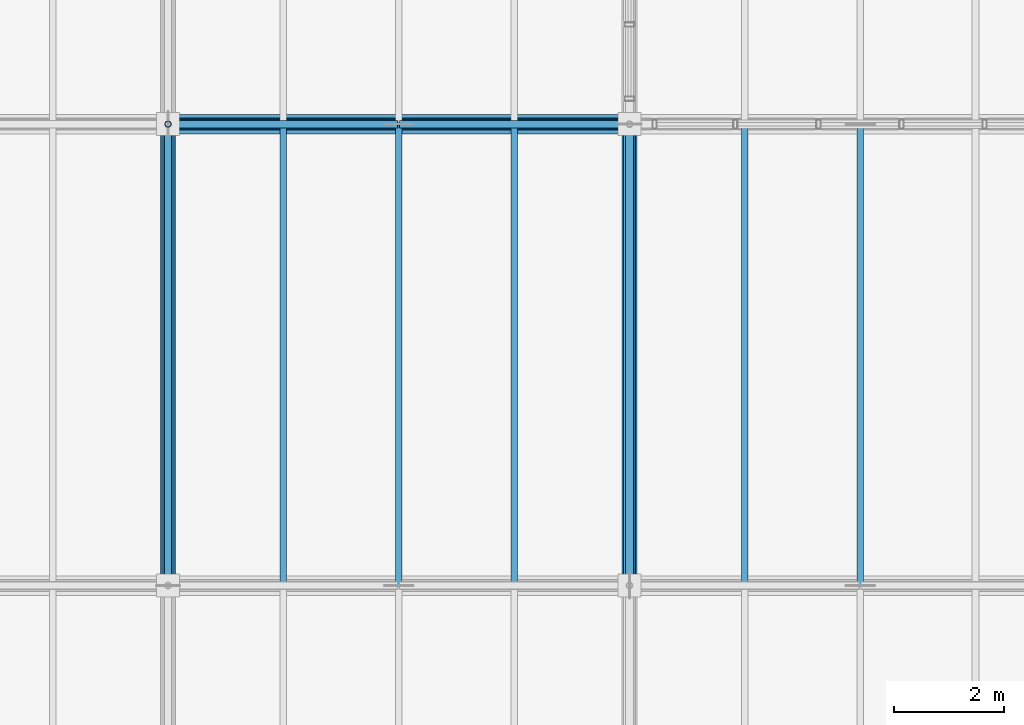
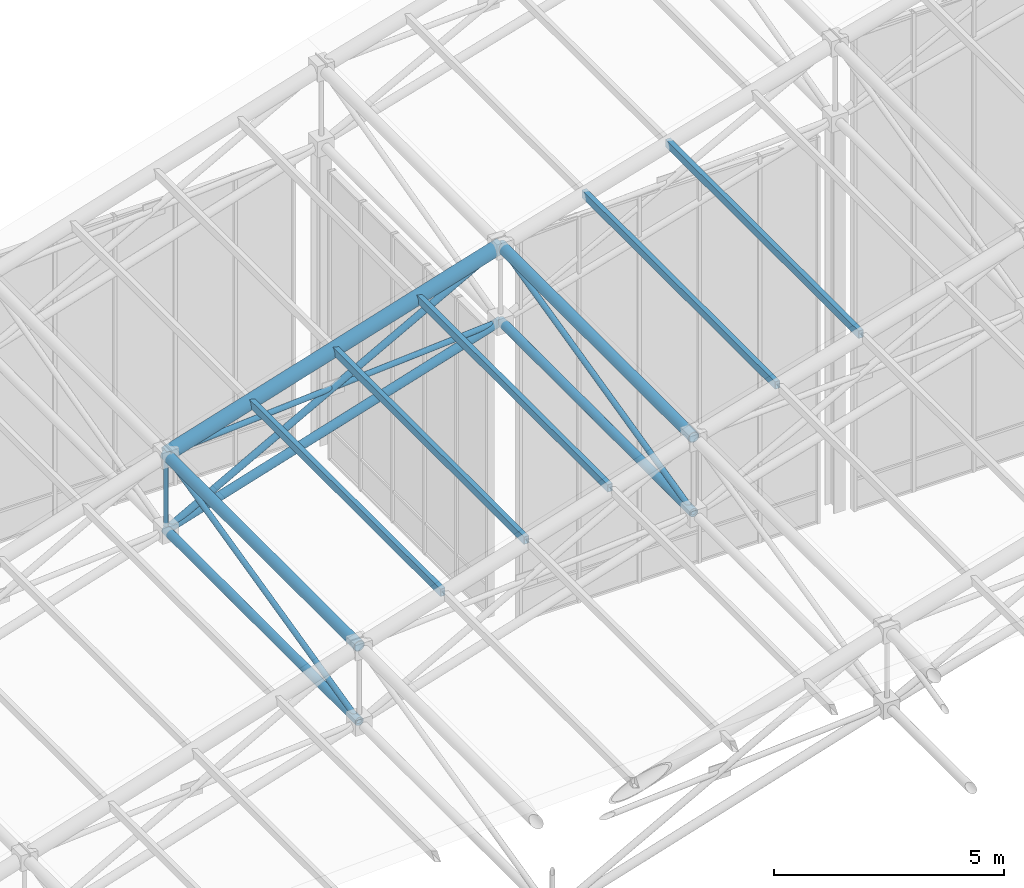
# One storey, part 65 of 144: 17 members.
"""IFC4 building model written with IfcOpenShell, lengths in metres."""

from ifc_helpers import new_model, si_unit, direction, frame, origin, origin_2d, place, context, subcontext, project, spatial, hollow_rectangle, hollow_circle, extrude, material, material_profile, profile_set, type_object, element, save


model = new_model("IFC4")

# Units and contexts
model_context = context("Model", 3, precision=1e-05, world=origin(), true_north=direction((0.0, 1.0)))
body_context = subcontext(model_context, "Body", "Model", "MODEL_VIEW")
ifc_project = project(units=[si_unit("LENGTHUNIT", "METRE"), si_unit("AREAUNIT", "SQUARE_METRE"), si_unit("VOLUMEUNIT", "CUBIC_METRE"), si_unit("PLANEANGLEUNIT", "RADIAN"), si_unit("MASSUNIT", "GRAM", prefix="KILO")], contexts=[model_context])

# Site, building, storey
site_placement = place(None, origin())
site = spatial("IfcSite", under=ifc_project, at=site_placement, CompositionType="ELEMENT")
building_placement = place(site_placement, origin())
building = spatial("IfcBuilding", under=site, at=building_placement, Name="Zayran Congress Hotel", CompositionType="ELEMENT")
storey_placement = place(building_placement, frame((0.0, 0.0, 19.199951171875)))
storey = spatial("IfcBuildingStorey", under=building, at=storey_placement, Name="L04", CompositionType="ELEMENT", Elevation=19.199951171875)

# Members
ifc_material = material(Name="Steel S355", Category="steel")
ifc_material_profile_1 = material_profile(ifc_material, hollow_circle(Radius=0.177734375, WallThickness=0.01611328125, at=origin_2d()), Name="CHS 355.6x16")
ifc_profile_set_1 = profile_set([ifc_material_profile_1], Name="Steel S355")
member_type_1 = type_object("IfcMemberType", Name="TP-SF-TC1", PredefinedType="CHORD", material=ifc_profile_set_1)
member_1_placement = place(storey_placement, frame((25.199951171875, 109.60009765625, 7.302001953125), z_axis=(0.955284210171, 0.0, 0.29568915739), x_axis=(0.0, 1.0, 0.0)))
element("IfcMember", 1, at=member_1_placement, inside=storey, type_object=member_type_1, Name="Space Frame Top Chord X 153", PredefinedType="CHORD", context=body_context, shape_type="SweptSolid", body=[
    extrude(hollow_circle(Radius=0.177734375, WallThickness=0.01611328125, at=origin_2d()), origin(), (0.0, 0.0, 1.0), 8.79345703125),
])
ifc_material_profile_2 = material_profile(ifc_material, hollow_circle(Radius=0.136474609375, WallThickness=0.012451171875, at=origin_2d()), Name="CHS 273x12.5")
ifc_profile_set_2 = profile_set([ifc_material_profile_2], Name="Steel S355")
member_type_2 = type_object("IfcMemberType", Name="TP-SF-TC2", PredefinedType="CHORD", material=ifc_profile_set_2)
for number, where, z_axis, x_axis, name in (
    (2, (25.199951171875, 101.199951171875, 7.302001953125), (0.0, 1.0, 0.0), (-1.0, 0.0, 0.0), "Space Frame Top Chord Y 149"),
    (3, (33.60009765625, 101.199951171875, 9.902099609375), (0.0, 1.0, 0.0), (-1.0, 0.0, 0.0), "Space Frame Top Chord Y 202"),
):
    element("IfcMember", number, at=place(storey_placement, frame(where, z_axis=z_axis, x_axis=x_axis)), inside=storey, type_object=member_type_2, Name=name, PredefinedType="CHORD", context=body_context, shape_type="SweptSolid", body=[
        extrude(hollow_circle(Radius=0.136474609375, WallThickness=0.012451171875, at=origin_2d()), origin(), (0.0, 0.0, 1.0), 8.400146484375),
    ])
ifc_material_profile_3 = material_profile(ifc_material, hollow_circle(Radius=0.109619140625, WallThickness=0.010009765625, at=origin_2d()), Name="CHS 219.1x10")
ifc_profile_set_3 = profile_set([ifc_material_profile_3], Name="Steel S355")
member_type_3 = type_object("IfcMemberType", Name="TP-SF-BC1", PredefinedType="CHORD", material=ifc_profile_set_3)
member_2_placement = place(storey_placement, frame((25.199951171875, 101.199951171875, 5.300048828125), z_axis=(0.0, 1.0, 0.0), x_axis=(-1.0, 0.0, 0.0)))
element("IfcMember", 4, at=member_2_placement, inside=storey, type_object=member_type_3, Name="Space Frame Bottom Chord Y 150", PredefinedType="CHORD", context=body_context, shape_type="SweptSolid", body=[
    extrude(hollow_circle(Radius=0.109619140625, WallThickness=0.010009765625, at=origin_2d()), origin(), (0.0, 0.0, 1.0), 8.400146484375),
])
member_3_placement = place(storey_placement, frame((25.199951171875, 109.60009765625, 5.300048828125), z_axis=(0.955284210171, 0.0, 0.29568915739), x_axis=(0.0, 1.0, 0.0)))
element("IfcMember", 5, at=member_3_placement, inside=storey, type_object=member_type_3, Name="Space Frame Bottom Chord X 154", PredefinedType="CHORD", context=body_context, shape_type="SweptSolid", body=[
    extrude(hollow_circle(Radius=0.109619140625, WallThickness=0.010009765625, at=origin_2d()), origin(), (0.0, 0.0, 1.0), 8.79345703125),
])
member_4_placement = place(storey_placement, frame((33.60009765625, 101.199951171875, 7.900146484375), z_axis=(0.0, 1.0, 0.0), x_axis=(-1.0, 0.0, 0.0)))
element("IfcMember", 6, at=member_4_placement, inside=storey, type_object=member_type_3, Name="Space Frame Bottom Chord Y 203", PredefinedType="CHORD", context=body_context, shape_type="SweptSolid", body=[
    extrude(hollow_circle(Radius=0.109619140625, WallThickness=0.010009765625, at=origin_2d()), origin(), (0.0, 0.0, 1.0), 8.400146484375),
])
ifc_material_profile_4 = material_profile(ifc_material, hollow_circle(Radius=0.084228515625, WallThickness=0.008056640625, at=origin_2d()), Name="CHS 168.3x8")
ifc_profile_set_4 = profile_set([ifc_material_profile_4], Name="Steel S355")
member_type_4 = type_object("IfcMemberType", Name="TP-SF-DG1", PredefinedType="BRACE", material=ifc_profile_set_4)
member_5_placement = place(storey_placement, frame((25.199951171875, 109.60009765625, 5.300048828125), z_axis=(0.877009581124, 0.0, 0.480472886453), x_axis=(0.0, 1.0, 0.0)))
element("IfcMember", 7, at=member_5_placement, inside=storey, type_object=member_type_4, Name="Space Frame Web Diagonal X 155", PredefinedType="BRACE", context=body_context, shape_type="SweptSolid", body=[
    extrude(hollow_circle(Radius=0.084228515625, WallThickness=0.008056640625, at=origin_2d()), origin(), (0.0, 0.0, 1.0), 9.578125),
])
ifc_material_profile_5 = material_profile(ifc_material, hollow_circle(Radius=0.06982421875, WallThickness=0.00634765625, at=origin_2d()), Name="CHS 139.7x6.3")
ifc_profile_set_5 = profile_set([ifc_material_profile_5], Name="Steel S355")
member_type_5 = type_object("IfcMemberType", Name="TP-SF-DG2", PredefinedType="BRACE", material=ifc_profile_set_5)
member_6_placement = place(storey_placement, frame((25.199951171875, 101.199951171875, 5.300048828125), z_axis=(0.0, 0.972756139537, 0.231830742122), x_axis=(-1.0, 0.0, 0.0)))
element("IfcMember", 8, at=member_6_placement, inside=storey, type_object=member_type_5, Name="Space Frame Web Diagonal Y 151", PredefinedType="BRACE", context=body_context, shape_type="SweptSolid", body=[
    extrude(hollow_circle(Radius=0.06982421875, WallThickness=0.00634765625, at=origin_2d()), origin(), (0.0, 0.0, 1.0), 8.635498046875),
])
for number, where, z_axis, x_axis, name in (
    (9, (25.199951171875, 109.60009765625, 7.302001953125), (0.99747698019, 0.0, 0.07099066129), (0.0, 1.0, 0.0), "Space Frame Counter Diagonal X Upper 156"),
    (10, (29.4150390625, 109.60009765625, 7.60205078125), (0.997472858069, 0.0, 0.071048556744), (0.0, 1.0, 0.0), "Space Frame Counter Diagonal X Lower 26"),
):
    element("IfcMember", number, at=place(storey_placement, frame(where, z_axis=z_axis, x_axis=x_axis)), inside=storey, type_object=member_type_5, Name=name, PredefinedType="BRACE", context=body_context, shape_type="SweptSolid", body=[
        extrude(hollow_circle(Radius=0.06982421875, WallThickness=0.00634765625, at=origin_2d()), origin(), (0.0, 0.0, 1.0), 4.195556640625),
    ])
member_7_placement = place(storey_placement, frame((33.60009765625, 101.199951171875, 7.900146484375), z_axis=(0.0, 0.972756139537, 0.231830742122), x_axis=(-1.0, 0.0, 0.0)))
element("IfcMember", 11, at=member_7_placement, inside=storey, type_object=member_type_5, Name="Space Frame Web Diagonal Y 204", PredefinedType="BRACE", context=body_context, shape_type="SweptSolid", body=[
    extrude(hollow_circle(Radius=0.06982421875, WallThickness=0.00634765625, at=origin_2d()), origin(), (0.0, 0.0, 1.0), 8.635498046875),
])
ifc_material_profile_6 = material_profile(ifc_material, hollow_circle(Radius=0.05712890625, WallThickness=0.00634765625, at=origin_2d()), Name="CHS 114.3x6.3")
ifc_profile_set_6 = profile_set([ifc_material_profile_6], Name="Steel S355")
member_type_6 = type_object("IfcMemberType", Name="TP-SF-DG3", PredefinedType="BRACE", material=ifc_profile_set_6)
member_8_placement = place(storey_placement, frame((25.199951171875, 109.60009765625, 5.300048828125), z_axis=(0.0, 0.0, 1.0), x_axis=(0.0, 1.0, 0.0)))
element("IfcMember", 12, at=member_8_placement, inside=storey, type_object=member_type_6, Name="Space Frame Web Strut 160", PredefinedType="BRACE", context=body_context, shape_type="SweptSolid", body=[
    extrude(hollow_circle(Radius=0.05712890625, WallThickness=0.00634765625, at=origin_2d()), origin(), (0.0, 0.0, 1.0), 2.001953125),
])
ifc_material_profile_7 = material_profile(ifc_material, hollow_rectangle(XDim=0.1201171875, YDim=0.199951171875, WallThickness=0.008056640625, at=origin_2d()), Name="RHS 200x120x8")
ifc_profile_set_7 = profile_set([ifc_material_profile_7], Name="Steel S355")
member_type_7 = type_object("IfcMemberType", Name="TP-PR-01", PredefinedType="PURLIN", material=ifc_profile_set_7)
for number, where, z_axis, x_axis, name in (
    (13, (27.300048828125, 101.199951171875, 7.994140625), (0.0, 1.0, 0.0), (-1.0, 0.0, 0.0), "MEM-PR-V1-0041"),
    (14, (29.39990234375, 101.199951171875, 8.64404296875), (0.0, 1.0, 0.0), (-1.0, 0.0, 0.0), "MEM-PR-V1-0047"),
    (15, (31.5, 101.199951171875, 9.2939453125), (0.0, 1.0, 0.0), (-1.0, 0.0, 0.0), "MEM-PR-V1-0053"),
    (16, (35.699951171875, 101.199951171875, 10.556640625), (0.0, 1.0, 0.0), (-1.0, 0.0, 0.0), "MEM-PR-V1-0059"),
    (17, (37.800048828125, 101.199951171875, 11.1689453125), (0.0, 1.0, 0.0), (-1.0, 0.0, 0.0), "MEM-PR-V1-0065"),
):
    element("IfcMember", number, at=place(storey_placement, frame(where, z_axis=z_axis, x_axis=x_axis)), inside=storey, type_object=member_type_7, Name=name, PredefinedType="PURLIN", context=body_context, shape_type="SweptSolid", body=[
        extrude(hollow_rectangle(XDim=0.1201171875, YDim=0.199951171875, WallThickness=0.008056640625, at=origin_2d()), origin(), (0.0, 0.0, 1.0), 8.400146484375),
    ])

save(model, "model.ifc")
